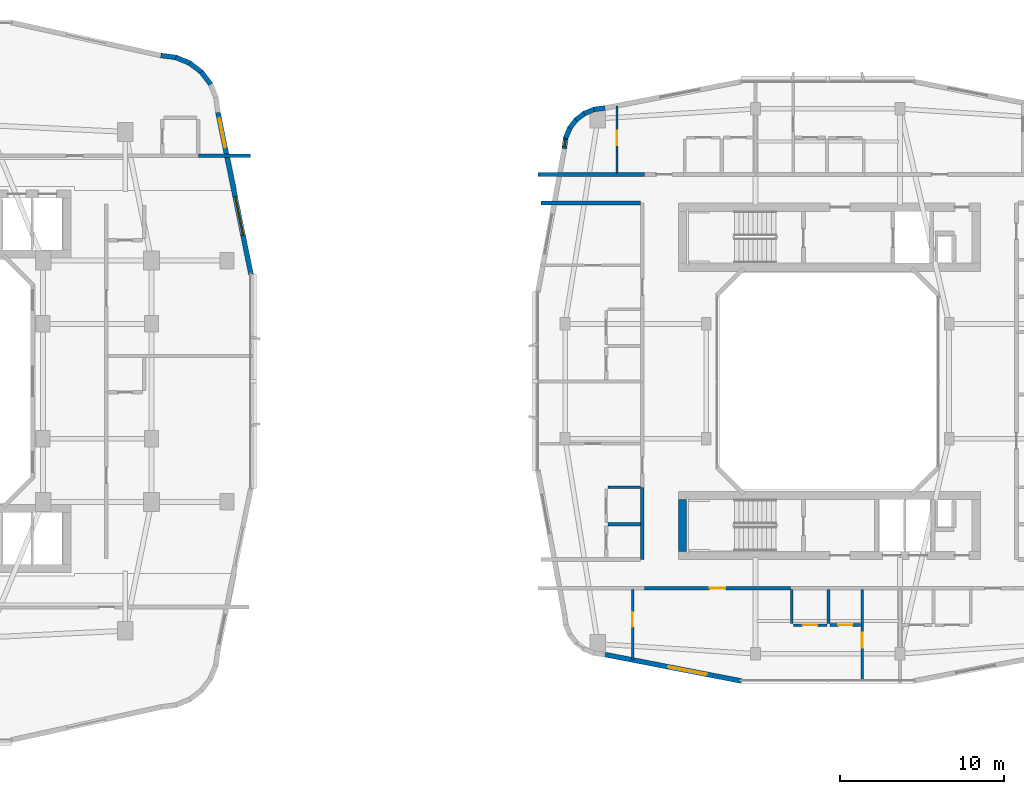
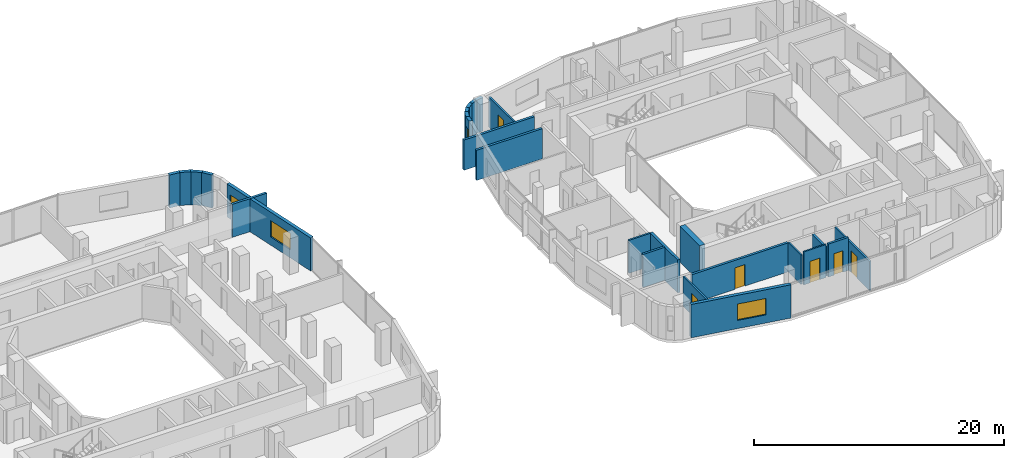
# One storey, part 16 of 25: 27 walls, 6 doors, 4 windows, 10 openings.
"""IFC4 building model written with IfcOpenShell, lengths in metres."""

from ifc_helpers import new_model, si_unit, derived_unit, direction, frame, frame_2d, origin, place, context, subcontext, project, spatial, rectangle, extrude, material, layer, layer_set, type_object, element, fill, save


model = new_model("IFC4")

# Units and contexts
model_context = context("Model", 3, precision=1e-05, world=origin(), true_north=direction((0.0, 1.0)))
body_context = subcontext(model_context, "Body", "Model", "MODEL_VIEW")
ifc_project = project(units=[si_unit("LENGTHUNIT", "METRE"), si_unit("AREAUNIT", "SQUARE_METRE"), si_unit("VOLUMEUNIT", "CUBIC_METRE"), si_unit("PLANEANGLEUNIT", "RADIAN"), si_unit("MASSUNIT", "GRAM", prefix="KILO"), derived_unit("THERMALTRANSMITTANCEUNIT", [(si_unit("POWERUNIT", "WATT"), 1), (si_unit("LENGTHUNIT", "METRE"), -2), (si_unit("THERMODYNAMICTEMPERATUREUNIT", "KELVIN"), -1)])], contexts=[model_context])

# Site, building, storey
site_placement = place(None, origin())
site = spatial("IfcSite", under=ifc_project, at=site_placement, CompositionType="ELEMENT")
building_placement = place(site_placement, origin())
building = spatial("IfcBuilding", under=site, at=building_placement, Name="Kivonza Crest Hotel", CompositionType="ELEMENT")
storey_placement = place(building_placement, frame((0.0, 0.0, 83.5)))
storey = spatial("IfcBuildingStorey", under=building, at=storey_placement, Name="L22", CompositionType="ELEMENT", Elevation=83.5)

# Walls
ifc_material_1 = material(Name="Autoclaved aerated concrete blockwork", Category="masonry")
ifc_layer_1 = layer(ifc_material_1, 0.219970703125)
ifc_layer_set_1 = layer_set([ifc_layer_1], Name="Autoclaved aerated concrete blockwork")
wall_type_1 = type_object("IfcWallType", Name="WL-ACOU-220", PredefinedType="SOLIDWALL", material=ifc_layer_set_1)
wall_1_placement = place(storey_placement, frame((38.64990234375, 38.75, 0.0), z_axis=(0.0, 0.0, 1.0), x_axis=(1.0, 0.0, 0.0)))
element("IfcWall", 1, at=wall_1_placement, inside=storey, type_object=wall_type_1, Name="L22 interior partition WA-L22-N02-XCORR", PredefinedType="SOLIDWALL", context=body_context, shape_type="SweptSolid", body=[
    extrude(rectangle(XDim=3.190185546875, YDim=0.219970703125, at=frame_2d((1.59521484375, 0.0))), origin(), (0.0, 0.0, 1.0), 3.219970703125),
])
wall_2_placement = place(storey_placement, frame((59.360107421875, 37.60009765625, 0.0), z_axis=(0.0, 0.0, 1.0), x_axis=(1.0, 0.0, 0.0)))
element("IfcWall", 2, at=wall_2_placement, inside=storey, type_object=wall_type_1, Name="L22 interior partition WA-L22-A01-LCORR", PredefinedType="SOLIDWALL", context=body_context, shape_type="SweptSolid", body=[
    extrude(rectangle(XDim=6.489990234375, YDim=0.219970703125, at=frame_2d((3.2451171875, 0.0))), origin(), (0.0, 0.0, 1.0), 2.945068359375),
])

# Wall, opening, door
wall_3_placement = place(storey_placement, frame((65.85009765625, 12.39990234375, 0.0), z_axis=(0.0, 0.0, 1.0), x_axis=(1.0, 0.0, 0.0)))
wall_3 = element("IfcWall", 3, at=wall_3_placement, inside=storey, type_object=wall_type_1, Name="L22 interior partition WA-L22-A03-MCORR", PredefinedType="SOLIDWALL", context=body_context, shape_type="SweptSolid", body=[
    extrude(rectangle(XDim=8.869873046875, YDim=0.219970703125, at=frame_2d((4.43505859375, 0.0))), origin(), (0.0, 0.0, 1.0), 2.824951171875),
])
opening_1_placement = place(wall_3_placement, frame((3.9599609375, 0.0, 0.0)))
opening_1 = element("IfcOpeningElement", 4, at=opening_1_placement, cuts=wall_3, Name="Opening DU-60", PredefinedType="OPENING", context=body_context, shape_type="SweptSolid", body=[
    extrude(rectangle(XDim=0.949951171875, YDim=2.10009765625, at=frame_2d((0.47509765625, 1.050048828125))), frame((0.0, 0.1201171875, 0.0), z_axis=(0.0, -1.0, 0.0), x_axis=(1.0, 0.0, 0.0)), (0.0, 0.0, 1.0), 0.239990234375),
])
ifc_material_2 = material(Name="Hardwood timber oak", Category="wood")
door_type_1 = type_object("IfcDoorType", Name="DR-UNIT-950", OperationType="NOTDEFINED", PredefinedType="DOOR", material=ifc_material_2)
door_1_placement = place(opening_1_placement, frame((0.949951171875, 0.0, 0.0), z_axis=(0.0, 0.0, 1.0), x_axis=(-1.0, 0.0, 0.0)))
door_1 = element("IfcDoor", 5, at=door_1_placement, inside=storey, type_object=door_type_1, Name="L22 A03 apartment entrance fire door", OperationType="SINGLE_SWING_LEFT", OverallHeight=2.10009765625, OverallWidth=0.949951171875, PredefinedType="DOOR", context=body_context, shape_type="SweptSolid", body=[
    extrude(rectangle(XDim=0.949951171875, YDim=2.10009765625, at=frame_2d((0.47509765625, 1.050048828125))), frame((0.0, 0.02490234375, 0.0), z_axis=(0.0, -1.0, 0.0), x_axis=(1.0, 0.0, 0.0)), (0.0, 0.0, 1.0), 0.050048828125),
])
fill(opening_1, door_1)

# Walls
wall_4_placement = place(storey_placement, frame((59.52001953125, 35.860107421875, 0.0), z_axis=(0.0, 0.0, 1.0), x_axis=(1.0, 0.0, 0.0)))
element("IfcWall", 6, at=wall_4_placement, inside=storey, type_object=wall_type_1, Name="L22 interior partition WA-L22-T2W-ENDN", PredefinedType="SOLIDWALL", context=body_context, shape_type="SweptSolid", body=[
    extrude(rectangle(XDim=6.080078125, YDim=0.219970703125, at=frame_2d((3.0400390625, 0.0))), origin(), (0.0, 0.0, 1.0), 2.945068359375),
])
wall_5_placement = place(storey_placement, frame((65.699951171875, 14.139892578125, 0.0), z_axis=(0.0, 0.0, 1.0), x_axis=(0.0, 1.0, 0.0)))
element("IfcWall", 7, at=wall_5_placement, inside=storey, type_object=wall_type_1, Name="L22 interior partition WA-L22-A05-BCORR", PredefinedType="SOLIDWALL", context=body_context, shape_type="SweptSolid", body=[
    extrude(rectangle(XDim=4.400146484375, YDim=0.219970703125, at=frame_2d((2.2001953125, 0.0))), origin(), (0.0, 0.0, 1.0), 3.219970703125),
])
ifc_material_3 = material(Name="Concrete C60/75", Category="concrete")
ifc_layer_2 = layer(ifc_material_3, 0.5)
ifc_layer_set_2 = layer_set([ifc_layer_2], Name="Concrete C60/75")
wall_type_2 = type_object("IfcWallType", Name="WL-CORE-500", PredefinedType="SHEAR", material=ifc_layer_set_2)
wall_6_placement = place(storey_placement, frame((68.14990234375, 14.639892578125, 0.0), z_axis=(0.0, 0.0, 1.0), x_axis=(0.0, 1.0, 0.0)))
element("IfcWall", 8, at=wall_6_placement, inside=storey, type_object=wall_type_2, Name="Core wall T2-S West L22", PredefinedType="SHEAR", context=body_context, shape_type="SweptSolid", body=[
    extrude(rectangle(XDim=3.16015625, YDim=0.5, at=frame_2d((1.580078125, 0.0))), origin(), (0.0, 0.0, 1.0), 3.5),
])

# Wall, openings, windows
ifc_material_4 = material(Name="Precast concrete C40/50", Category="concrete")
ifc_layer_3 = layer(ifc_material_4, 0.300048828125)
ifc_layer_set_3 = layer_set([ifc_layer_3], Name="Precast concrete C40/50")
wall_type_3 = type_object("IfcWallType", Name="WL-EXT-300", PredefinedType="STANDARD", material=ifc_layer_set_3)
wall_7_placement = place(storey_placement, frame((41.864013671875, 31.51611328125, 0.0), z_axis=(0.0, 0.0, 1.0), x_axis=(-0.199990901713, 0.979797754249, 0.0)))
wall_7 = element("IfcWall", 9, at=wall_7_placement, inside=storey, type_object=wall_type_3, Name="L22 T1 exterior insulated wall 18", PredefinedType="STANDARD", context=body_context, shape_type="SweptSolid", body=[
    extrude(rectangle(XDim=10.065185546875, YDim=0.300048828125, at=frame_2d((5.03271484375, 0.0))), origin(), (0.0, 0.0, 1.0), 3.219970703125),
])
opening_2_placement = place(wall_7_placement, frame((2.428955078125, 0.0, 0.800048828125)))
opening_2 = element("IfcOpeningElement", 10, at=opening_2_placement, cuts=wall_7, Name="Opening WN-05", PredefinedType="OPENING", context=body_context, shape_type="SweptSolid", body=[
    extrude(rectangle(XDim=2.39990234375, YDim=1.60009765625, at=frame_2d((1.199951171875, 0.800048828125))), frame((0.0, 0.16015625, 0.0), z_axis=(0.0, -1.0, 0.0), x_axis=(1.0, 0.0, 0.0)), (0.0, 0.0, 1.0), 0.320068359375),
])
opening_3_placement = place(wall_7_placement, frame((7.886962890625, 0.0, 0.85009765625)))
opening_3 = element("IfcOpeningElement", 11, at=opening_3_placement, cuts=wall_7, Name="Opening WN-03", PredefinedType="OPENING", context=body_context, shape_type="SweptSolid", body=[
    extrude(rectangle(XDim=1.800048828125, YDim=1.5, at=frame_2d((0.89990234375, 0.75))), frame((0.0, 0.16015625, 0.0), z_axis=(0.0, -1.0, 0.0), x_axis=(1.0, 0.0, 0.0)), (0.0, 0.0, 1.0), 0.320068359375),
])
ifc_material_5 = material(Name="Thermally broken bronze aluminium and low-E double glazing", Category="aluminium")
window_type_1 = type_object("IfcWindowType", Name="WN-180x150", PartitioningType="DOUBLE_PANEL_VERTICAL", PredefinedType="WINDOW", material=ifc_material_5)
window_1_placement = place(opening_3_placement, origin())
window_1 = element("IfcWindow", 12, at=window_1_placement, inside=storey, type_object=window_type_1, Name="L22 T1 facade window 18 bay 2", OverallHeight=1.5, OverallWidth=1.800048828125, PartitioningType="SINGLE_PANEL", PredefinedType="WINDOW", context=body_context, shape_type="SweptSolid", body=[
    extrude(rectangle(XDim=1.800048828125, YDim=1.5, at=frame_2d((0.89990234375, 0.75))), frame((0.0, 0.030029296875, 0.0), z_axis=(0.0, -1.0, 0.0), x_axis=(1.0, 0.0, 0.0)), (0.0, 0.0, 1.0), 0.06005859375),
])
fill(opening_3, window_1)
window_type_2 = type_object("IfcWindowType", Name="WN-240x160", PartitioningType="TRIPLE_PANEL_VERTICAL", PredefinedType="WINDOW", material=ifc_material_5)
window_2_placement = place(opening_2_placement, origin())
window_2 = element("IfcWindow", 13, at=window_2_placement, inside=storey, type_object=window_type_2, Name="L22 T1 facade window 18 bay 1", OverallHeight=1.60009765625, OverallWidth=2.39990234375, PartitioningType="SINGLE_PANEL", PredefinedType="WINDOW", context=body_context, shape_type="SweptSolid", body=[
    extrude(rectangle(XDim=2.39990234375, YDim=1.60009765625, at=frame_2d((1.199951171875, 0.800048828125))), frame((0.0, 0.030029296875, 0.0), z_axis=(0.0, -1.0, 0.0), x_axis=(1.0, 0.0, 0.0)), (0.0, 0.0, 1.0), 0.06005859375),
])
fill(opening_2, window_2)

# Walls
wall_8_placement = place(storey_placement, frame((39.4140625, 43.089111328125, 0.0), z_axis=(0.0, 0.0, 1.0), x_axis=(-0.608474481025, 0.793573440799, 0.0)))
element("IfcWall", 14, at=wall_8_placement, inside=storey, type_object=wall_type_3, Name="L22 T1 exterior insulated wall 21", PredefinedType="STANDARD", context=body_context, shape_type="SweptSolid", body=[
    extrude(rectangle(XDim=0.954833984375, YDim=0.300048828125, at=frame_2d((0.4775390625, 0.0))), origin(), (0.0, 0.0, 1.0), 3.219970703125),
])
wall_9_placement = place(storey_placement, frame((38.875, 43.81201171875, 0.0), z_axis=(0.0, 0.0, 1.0), x_axis=(-0.793668068435, 0.608351047625, 0.0)))
element("IfcWall", 15, at=wall_9_placement, inside=storey, type_object=wall_type_3, Name="L22 T1 exterior insulated wall 22", PredefinedType="STANDARD", context=body_context, shape_type="SweptSolid", body=[
    extrude(rectangle(XDim=0.955078125, YDim=0.300048828125, at=frame_2d((0.4775390625, 0.0))), origin(), (0.0, 0.0, 1.0), 3.219970703125),
])
wall_10_placement = place(storey_placement, frame((38.166015625, 44.368896484375, 0.0), z_axis=(0.0, 0.0, 1.0), x_axis=(-0.924019948111, 0.382344263057, 0.0)))
element("IfcWall", 16, at=wall_10_placement, inside=storey, type_object=wall_type_3, Name="L22 T1 exterior insulated wall 23", PredefinedType="STANDARD", context=body_context, shape_type="SweptSolid", body=[
    extrude(rectangle(XDim=0.95458984375, YDim=0.300048828125, at=frame_2d((0.477294921875, 0.0))), origin(), (0.0, 0.0, 1.0), 3.219970703125),
])
wall_11_placement = place(storey_placement, frame((37.3369140625, 44.72509765625, 0.0), z_axis=(0.0, 0.0, 1.0), x_axis=(-0.991454295543, 0.130454512571, 0.0)))
element("IfcWall", 17, at=wall_11_placement, inside=storey, type_object=wall_type_3, Name="L22 T1 exterior insulated wall 24", PredefinedType="STANDARD", context=body_context, shape_type="SweptSolid", body=[
    extrude(rectangle(XDim=0.97314453125, YDim=0.300048828125, at=frame_2d((0.486572265625, 0.0))), origin(), (0.0, 0.0, 1.0), 3.219970703125),
])

# Wall, opening, window
wall_12_placement = place(storey_placement, frame((63.4208984375, 8.34912109375, 0.0), z_axis=(0.0, 0.0, 1.0), x_axis=(0.981750199588, -0.190175039396, 0.0)))
wall_12 = element("IfcWall", 18, at=wall_12_placement, inside=storey, type_object=wall_type_3, Name="L22 T2 exterior insulated wall 7", PredefinedType="STANDARD", context=body_context, shape_type="SweptSolid", body=[
    extrude(rectangle(XDim=8.476806640625, YDim=0.300048828125, at=frame_2d((4.23828125, 0.0))), origin(), (0.0, 0.0, 1.0), 3.25),
])
opening_4_placement = place(wall_12_placement, frame((3.93701171875, 0.0, 0.800048828125)))
opening_4 = element("IfcOpeningElement", 19, at=opening_4_placement, cuts=wall_12, Name="Opening WN-05", PredefinedType="OPENING", context=body_context, shape_type="SweptSolid", body=[
    extrude(rectangle(XDim=2.39990234375, YDim=1.60009765625, at=frame_2d((1.199951171875, 0.800048828125))), frame((0.0, 0.16015625, 0.0), z_axis=(0.0, -1.0, 0.0), x_axis=(1.0, 0.0, 0.0)), (0.0, 0.0, 1.0), 0.320068359375),
])
window_3_placement = place(opening_4_placement, origin())
window_3 = element("IfcWindow", 20, at=window_3_placement, inside=storey, type_object=window_type_2, Name="L22 T2 facade window 7", OverallHeight=1.60009765625, OverallWidth=2.39990234375, PartitioningType="SINGLE_PANEL", PredefinedType="WINDOW", context=body_context, shape_type="SweptSolid", body=[
    extrude(rectangle(XDim=2.39990234375, YDim=1.60009765625, at=frame_2d((1.199951171875, 0.800048828125))), frame((0.0, 0.030029296875, 0.0), z_axis=(0.0, -1.0, 0.0), x_axis=(1.0, 0.0, 0.0)), (0.0, 0.0, 1.0), 0.06005859375),
])
fill(opening_4, window_3)

# Walls
wall_13_placement = place(storey_placement, frame((63.427978515625, 41.652099609375, 0.0), z_axis=(0.0, 0.0, 1.0), x_axis=(-0.991293937098, -0.131667498923, 0.0)))
element("IfcWall", 21, at=wall_13_placement, inside=storey, type_object=wall_type_3, Name="L22 T2 exterior insulated wall 28", PredefinedType="STANDARD", context=body_context, shape_type="SweptSolid", body=[
    extrude(rectangle(XDim=0.6767578125, YDim=0.300048828125, at=frame_2d((0.33837890625, 0.0))), origin(), (0.0, 0.0, 1.0), 3.25),
])
wall_14_placement = place(storey_placement, frame((62.806884765625, 41.58203125, 0.0), z_axis=(0.0, 0.0, 1.0), x_axis=(-0.924042561464, -0.382289608286, 0.0)))
element("IfcWall", 22, at=wall_14_placement, inside=storey, type_object=wall_type_3, Name="L22 T2 exterior insulated wall 29", PredefinedType="STANDARD", context=body_context, shape_type="SweptSolid", body=[
    extrude(rectangle(XDim=0.693603515625, YDim=0.300048828125, at=frame_2d((0.3466796875, 0.0))), origin(), (0.0, 0.0, 1.0), 3.25),
])
for number, where, z_axis, x_axis, name in (
    (23, (62.2109375, 41.347900390625, 0.0), (0.0, 0.0, 1.0), (-0.792807092876, -0.609472651958, 0.0), "L22 T2 exterior insulated wall 30"),
    (24, (61.696044921875, 40.967041015625, 0.0), (0.0, 0.0, 1.0), (-0.609693758543, -0.792637067512, 0.0), "L22 T2 exterior insulated wall 31"),
    (25, (61.297119140625, 40.466064453125, 0.0), (0.0, 0.0, 1.0), (-0.382165294877, -0.924093981904, 0.0), "L22 T2 exterior insulated wall 32"),
):
    element("IfcWall", number, at=place(storey_placement, frame(where, z_axis=z_axis, x_axis=x_axis)), inside=storey, type_object=wall_type_3, Name=name, PredefinedType="STANDARD", context=body_context, shape_type="SweptSolid", body=[
        extrude(rectangle(XDim=0.69384765625, YDim=0.300048828125, at=frame_2d((0.346923828125, 0.0))), origin(), (0.0, 0.0, 1.0), 3.25),
    ])

# Wall, opening, window
wall_15_placement = place(storey_placement, frame((61.041015625, 39.8779296875, 0.0), z_axis=(0.0, 0.0, 1.0), x_axis=(-0.130658543777, -0.991427427974, 0.0)))
wall_15 = element("IfcWall", 26, at=wall_15_placement, inside=storey, type_object=wall_type_3, Name="L22 T2 exterior insulated wall 33", PredefinedType="STANDARD", context=body_context, shape_type="SweptSolid", body=[
    extrude(rectangle(XDim=0.7119140625, YDim=0.300048828125, at=frame_2d((0.35595703125, 0.0))), origin(), (0.0, 0.0, 1.0), 3.25),
])
opening_5_placement = place(wall_15_placement, frame((0.131103515625, 0.0, 0.85009765625)))
opening_5 = element("IfcOpeningElement", 27, at=opening_5_placement, cuts=wall_15, Name="Opening WN-11", PredefinedType="OPENING", context=body_context, shape_type="SweptSolid", body=[
    extrude(rectangle(XDim=0.449951171875, YDim=1.5, at=frame_2d((0.22509765625, 0.75))), frame((0.0, 0.16015625, 0.0), z_axis=(0.0, -1.0, 0.0), x_axis=(1.0, 0.0, 0.0)), (0.0, 0.0, 1.0), 0.320068359375),
])
window_type_3 = type_object("IfcWindowType", Name="WN-045x150", PartitioningType="SINGLE_PANEL", PredefinedType="WINDOW", material=ifc_material_5)
window_4_placement = place(opening_5_placement, origin())
window_4 = element("IfcWindow", 28, at=window_4_placement, inside=storey, type_object=window_type_3, Name="L22 corner vision window 1", OverallHeight=1.5, OverallWidth=0.449951171875, PartitioningType="SINGLE_PANEL", PredefinedType="WINDOW", context=body_context, shape_type="SweptSolid", body=[
    extrude(rectangle(XDim=0.449951171875, YDim=1.5, at=frame_2d((0.22509765625, 0.75))), frame((0.0, 0.030029296875, 0.0), z_axis=(0.0, -1.0, 0.0), x_axis=(1.0, 0.0, 0.0)), (0.0, 0.0, 1.0), 0.06005859375),
])
fill(opening_5, window_4)

# Wall, opening, door
ifc_material_6 = material(Name="Twin-stud acoustic gypsum board partition", Category="gypsum")
ifc_layer_4 = layer(ifc_material_6, 0.14990234375)
ifc_layer_set_4 = layer_set([ifc_layer_4], Name="Twin-stud acoustic gypsum board partition")
wall_type_4 = type_object("IfcWallType", Name="WL-PART-150", PredefinedType="PARTITIONING", material=ifc_layer_set_4)
wall_16_placement = place(storey_placement, frame((64.159912109375, 37.699951171875, 0.0), z_axis=(0.0, 0.0, 1.0), x_axis=(0.0, 1.0, 0.0)))
wall_16 = element("IfcWall", 29, at=wall_16_placement, inside=storey, type_object=wall_type_4, Name="L22 interior partition WP-L22-A01-BDW1", PredefinedType="PARTITIONING", context=body_context, shape_type="SweptSolid", body=[
    extrude(rectangle(XDim=4.0859375, YDim=0.14990234375, at=frame_2d((2.04296875, 0.0))), origin(), (0.0, 0.0, 1.0), 2.945068359375),
])
opening_6_placement = place(wall_16_placement, frame((1.679931640625, 0.0, 0.0)))
opening_6 = element("IfcOpeningElement", 30, at=opening_6_placement, cuts=wall_16, Name="Opening DI-90", PredefinedType="OPENING", context=body_context, shape_type="SweptSolid", body=[
    extrude(rectangle(XDim=0.89990234375, YDim=2.10009765625, at=frame_2d((0.449951171875, 1.050048828125))), frame((0.0, 0.0849609375, 0.0), z_axis=(0.0, -1.0, 0.0), x_axis=(1.0, 0.0, 0.0)), (0.0, 0.0, 1.0), 0.169921875),
])
door_type_2 = type_object("IfcDoorType", Name="DR-INT-900", OperationType="NOTDEFINED", PredefinedType="DOOR", material=ifc_material_2)
door_2_placement = place(opening_6_placement, origin())
door_2 = element("IfcDoor", 31, at=door_2_placement, inside=storey, type_object=door_type_2, Name="L22 A01 bedroom 1 door", OperationType="SINGLE_SWING_RIGHT", OverallHeight=2.10009765625, OverallWidth=0.89990234375, PredefinedType="DOOR", context=body_context, shape_type="SweptSolid", body=[
    extrude(rectangle(XDim=0.89990234375, YDim=2.10009765625, at=frame_2d((0.449951171875, 1.050048828125))), frame((0.0, 0.02490234375, 0.0), z_axis=(0.0, -1.0, 0.0), x_axis=(1.0, 0.0, 0.0)), (0.0, 0.0, 1.0), 0.050048828125),
])
fill(opening_6, door_2)

wall_17_placement = place(storey_placement, frame((65.110107421875, 8.030029296875, 0.0), z_axis=(0.0, 0.0, 1.0), x_axis=(0.0, 1.0, 0.0)))
wall_17 = element("IfcWall", 32, at=wall_17_placement, inside=storey, type_object=wall_type_4, Name="L22 interior partition WP-L22-A03-BDW1", PredefinedType="PARTITIONING", context=body_context, shape_type="SweptSolid", body=[
    extrude(rectangle(XDim=4.27001953125, YDim=0.14990234375, at=frame_2d((2.135009765625, 0.0))), origin(), (0.0, 0.0, 1.0), 2.945068359375),
])
opening_7_placement = place(wall_17_placement, frame((2.010009765625, 0.0, 0.0)))
opening_7 = element("IfcOpeningElement", 33, at=opening_7_placement, cuts=wall_17, Name="Opening DI-90", PredefinedType="OPENING", context=body_context, shape_type="SweptSolid", body=[
    extrude(rectangle(XDim=0.89990234375, YDim=2.10009765625, at=frame_2d((0.449951171875, 1.050048828125))), frame((0.0, 0.0849609375, 0.0), z_axis=(0.0, -1.0, 0.0), x_axis=(1.0, 0.0, 0.0)), (0.0, 0.0, 1.0), 0.169921875),
])
door_3_placement = place(opening_7_placement, origin())
door_3 = element("IfcDoor", 34, at=door_3_placement, inside=storey, type_object=door_type_2, Name="L22 A03 bedroom 1 door", OperationType="SINGLE_SWING_RIGHT", OverallHeight=2.10009765625, OverallWidth=0.89990234375, PredefinedType="DOOR", context=body_context, shape_type="SweptSolid", body=[
    extrude(rectangle(XDim=0.89990234375, YDim=2.10009765625, at=frame_2d((0.449951171875, 1.050048828125))), frame((0.0, 0.02490234375, 0.0), z_axis=(0.0, -1.0, 0.0), x_axis=(1.0, 0.0, 0.0)), (0.0, 0.0, 1.0), 0.050048828125),
])
fill(opening_7, door_3)

wall_18_placement = place(storey_placement, frame((79.10009765625, 6.760009765625, 0.0), z_axis=(0.0, 0.0, 1.0), x_axis=(0.0, 1.0, 0.0)))
wall_18 = element("IfcWall", 35, at=wall_18_placement, inside=storey, type_object=wall_type_4, Name="L22 interior partition WP-L22-A03-BDW2", PredefinedType="PARTITIONING", context=body_context, shape_type="SweptSolid", body=[
    extrude(rectangle(XDim=5.5400390625, YDim=0.14990234375, at=frame_2d((2.77001953125, 0.0))), origin(), (0.0, 0.0, 1.0), 2.864990234375),
])
opening_8_placement = place(wall_18_placement, frame((2.010009765625, 0.0, 0.0)))
opening_8 = element("IfcOpeningElement", 36, at=opening_8_placement, cuts=wall_18, Name="Opening DI-90", PredefinedType="OPENING", context=body_context, shape_type="SweptSolid", body=[
    extrude(rectangle(XDim=0.89990234375, YDim=2.10009765625, at=frame_2d((0.449951171875, 1.050048828125))), frame((0.0, 0.0849609375, 0.0), z_axis=(0.0, -1.0, 0.0), x_axis=(1.0, 0.0, 0.0)), (0.0, 0.0, 1.0), 0.169921875),
])
door_4_placement = place(opening_8_placement, origin())
door_4 = element("IfcDoor", 37, at=door_4_placement, inside=storey, type_object=door_type_2, Name="L22 A03 bedroom 2 door", OperationType="SINGLE_SWING_LEFT", OverallHeight=2.10009765625, OverallWidth=0.89990234375, PredefinedType="DOOR", context=body_context, shape_type="SweptSolid", body=[
    extrude(rectangle(XDim=0.89990234375, YDim=2.10009765625, at=frame_2d((0.449951171875, 1.050048828125))), frame((0.0, 0.02490234375, 0.0), z_axis=(0.0, -1.0, 0.0), x_axis=(1.0, 0.0, 0.0)), (0.0, 0.0, 1.0), 0.050048828125),
])
fill(opening_8, door_4)

# Wall
wall_19_placement = place(storey_placement, frame((74.800048828125, 10.25, 0.0), z_axis=(0.0, 0.0, 1.0), x_axis=(0.0, 1.0, 0.0)))
element("IfcWall", 38, at=wall_19_placement, inside=storey, type_object=wall_type_4, Name="L22 interior partition WP-L22-A03-KF", PredefinedType="PARTITIONING", context=body_context, shape_type="SweptSolid", body=[
    extrude(rectangle(XDim=2.050048828125, YDim=0.14990234375, at=frame_2d((1.02490234375, 0.0))), origin(), (0.0, 0.0, 1.0), 2.864990234375),
])

# Wall, opening, door
wall_20_placement = place(storey_placement, frame((74.89990234375, 10.14990234375, 0.0), z_axis=(0.0, 0.0, 1.0), x_axis=(1.0, 0.0, 0.0)))
wall_20 = element("IfcWall", 39, at=wall_20_placement, inside=storey, type_object=wall_type_4, Name="L22 interior partition WP-L22-A03-KSVC", PredefinedType="PARTITIONING", context=body_context, shape_type="SweptSolid", body=[
    extrude(rectangle(XDim=2.050048828125, YDim=0.14990234375, at=frame_2d((1.02490234375, 0.0))), origin(), (0.0, 0.0, 1.0), 3.219970703125),
])
opening_9_placement = place(wall_20_placement, frame((0.574951171875, 0.0, 0.0)))
opening_9 = element("IfcOpeningElement", 40, at=opening_9_placement, cuts=wall_20, Name="Opening DI-90", PredefinedType="OPENING", context=body_context, shape_type="SweptSolid", body=[
    extrude(rectangle(XDim=0.89990234375, YDim=2.10009765625, at=frame_2d((0.449951171875, 1.050048828125))), frame((0.0, 0.0849609375, 0.0), z_axis=(0.0, -1.0, 0.0), x_axis=(1.0, 0.0, 0.0)), (0.0, 0.0, 1.0), 0.169921875),
])
door_5_placement = place(opening_9_placement, frame((0.89990234375, 0.0, 0.0), z_axis=(0.0, 0.0, 1.0), x_axis=(-1.0, 0.0, 0.0)))
door_5 = element("IfcDoor", 41, at=door_5_placement, inside=storey, type_object=door_type_2, Name="L22 A03 apartment kitchen door", OperationType="SINGLE_SWING_LEFT", OverallHeight=2.10009765625, OverallWidth=0.89990234375, PredefinedType="DOOR", context=body_context, shape_type="SweptSolid", body=[
    extrude(rectangle(XDim=0.89990234375, YDim=2.10009765625, at=frame_2d((0.449951171875, 1.050048828125))), frame((0.0, 0.02490234375, 0.0), z_axis=(0.0, -1.0, 0.0), x_axis=(1.0, 0.0, 0.0)), (0.0, 0.0, 1.0), 0.050048828125),
])
fill(opening_9, door_5)

# Walls
wall_21_placement = place(storey_placement, frame((63.60009765625, 18.5400390625, 0.0), z_axis=(0.0, 0.0, 1.0), x_axis=(1.0, 0.0, 0.0)))
element("IfcWall", 42, at=wall_21_placement, inside=storey, type_object=wall_type_4, Name="L22 interior partition WP-L22-A05-KF", PredefinedType="PARTITIONING", context=body_context, shape_type="SweptSolid", body=[
    extrude(rectangle(XDim=2.0, YDim=0.14990234375, at=frame_2d((1.0, 0.0))), origin(), (0.0, 0.0, 1.0), 3.219970703125),
])
ifc_material_7 = material(Name="Moisture-resistant plumbing chase partition wall", Category="gypsum")
ifc_layer_5 = layer(ifc_material_7, 0.199951171875)
ifc_layer_set_5 = layer_set([ifc_layer_5], Name="Moisture-resistant plumbing chase partition wall")
wall_type_5 = type_object("IfcWallType", Name="WL-PLUMB-200", PredefinedType="PLUMBINGWALL", material=ifc_layer_set_5)
wall_22_placement = place(storey_placement, frame((77.050048828125, 10.25, 0.0), z_axis=(0.0, 0.0, 1.0), x_axis=(0.0, 1.0, 0.0)))
element("IfcWall", 43, at=wall_22_placement, inside=storey, type_object=wall_type_5, Name="L22 interior partition WW-L22-A03-BK", PredefinedType="PLUMBINGWALL", context=body_context, shape_type="SweptSolid", body=[
    extrude(rectangle(XDim=2.050048828125, YDim=0.199951171875, at=frame_2d((1.02490234375, 0.0))), origin(), (0.0, 0.0, 1.0), 2.864990234375),
])

# Wall, opening, door
wall_23_placement = place(storey_placement, frame((77.14990234375, 10.14990234375, 0.0), z_axis=(0.0, 0.0, 1.0), x_axis=(1.0, 0.0, 0.0)))
wall_23 = element("IfcWall", 44, at=wall_23_placement, inside=storey, type_object=wall_type_5, Name="L22 interior partition WW-L22-A03-BSVC", PredefinedType="PLUMBINGWALL", context=body_context, shape_type="SweptSolid", body=[
    extrude(rectangle(XDim=1.85009765625, YDim=0.199951171875, at=frame_2d((0.925048828125, 0.0))), origin(), (0.0, 0.0, 1.0), 3.219970703125),
])
opening_10_placement = place(wall_23_placement, frame((0.5, 0.0, 0.0)))
opening_10 = element("IfcOpeningElement", 45, at=opening_10_placement, cuts=wall_23, Name="Opening DI-85", PredefinedType="OPENING", context=body_context, shape_type="SweptSolid", body=[
    extrude(rectangle(XDim=0.85009765625, YDim=2.10009765625, at=frame_2d((0.425048828125, 1.050048828125))), frame((0.0, 0.10986328125, 0.0), z_axis=(0.0, -1.0, 0.0), x_axis=(1.0, 0.0, 0.0)), (0.0, 0.0, 1.0), 0.219970703125),
])
door_type_3 = type_object("IfcDoorType", Name="DR-INT-850", OperationType="NOTDEFINED", PredefinedType="DOOR", material=ifc_material_2)
door_6_placement = place(opening_10_placement, frame((0.85009765625, 0.0, 0.0), z_axis=(0.0, 0.0, 1.0), x_axis=(-1.0, 0.0, 0.0)))
door_6 = element("IfcDoor", 46, at=door_6_placement, inside=storey, type_object=door_type_3, Name="L22 A03 apartment bathroom door", OperationType="SINGLE_SWING_RIGHT", OverallHeight=2.10009765625, OverallWidth=0.85009765625, PredefinedType="DOOR", context=body_context, shape_type="SweptSolid", body=[
    extrude(rectangle(XDim=0.85009765625, YDim=2.10009765625, at=frame_2d((0.425048828125, 1.050048828125))), frame((0.0, 0.02490234375, 0.0), z_axis=(0.0, -1.0, 0.0), x_axis=(1.0, 0.0, 0.0)), (0.0, 0.0, 1.0), 0.050048828125),
])
fill(opening_10, door_6)

# Wall
wall_24_placement = place(storey_placement, frame((63.60009765625, 16.2900390625, 0.0), z_axis=(0.0, 0.0, 1.0), x_axis=(1.0, 0.0, 0.0)))
element("IfcWall", 47, at=wall_24_placement, inside=storey, type_object=wall_type_5, Name="L22 interior partition WW-L22-A05-BK", PredefinedType="PLUMBINGWALL", context=body_context, shape_type="SweptSolid", body=[
    extrude(rectangle(XDim=2.0, YDim=0.199951171875, at=frame_2d((1.0, 0.0))), origin(), (0.0, 0.0, 1.0), 3.219970703125),
])

save(model, "model.ifc")
